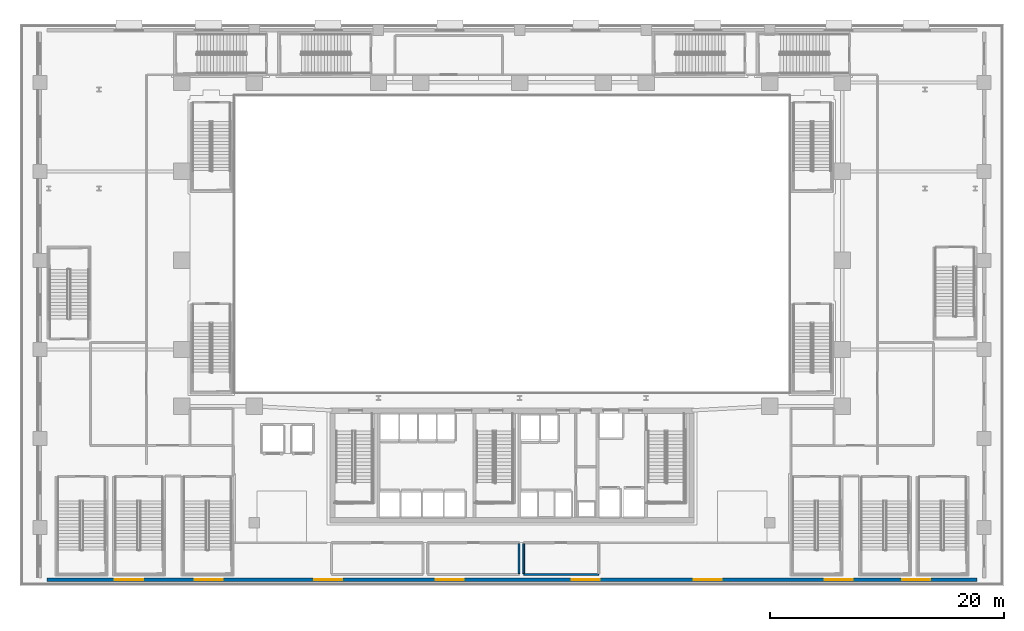
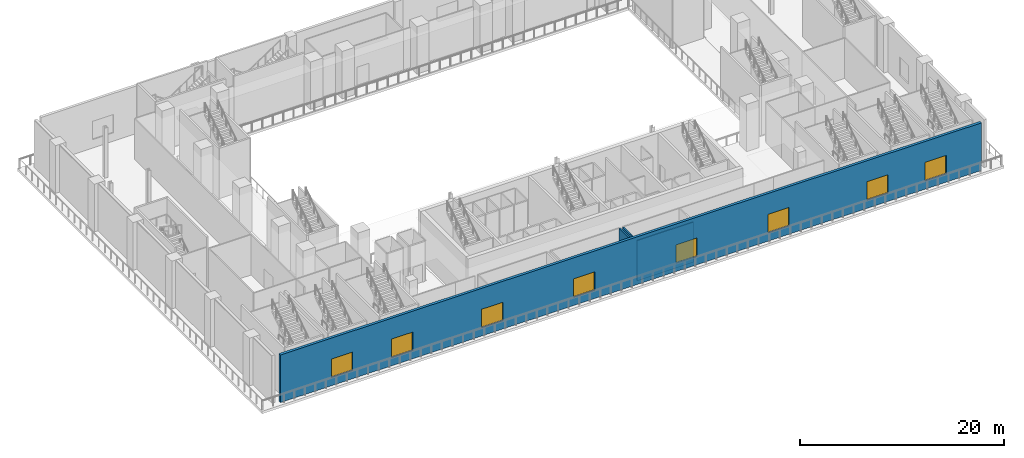
# One storey, part 8 of 29: 8 windows, 4 walls, 8 openings.
"""IFC4 building model written with IfcOpenShell, lengths in metres."""

import ifcopenshell
import ifcopenshell.guid

model = None  # the IFC model being written
_history = None  # IfcOwnerHistory: only IFC2X3 demands one
_inside = {}  # id of a spatial element -> (the spatial element, [elements in it])
_under = {}  # id of a project, library or spatial element -> (it, [spatial elements below it])
_declared = {}  # id of a project -> (the project, [libraries it declares])
_typed = {}  # id of a type object -> (the type object, [elements of that type])
_made_of = {}  # id of a material, layer set ... -> (it, [elements and type objects made of it])


def new_model(schema):
    """Start an empty IFC model of exactly this schema.

    Asked for "IFC4X3", IfcOpenShell would pick the latest addendum, in which some entities
    have other attributes; the version numbers below select the first issue.
    IFC2X3 requires an IfcOwnerHistory on every rooted entity: one is made here for all.
    """
    global model, _history
    if schema == "IFC4X3":
        model = ifcopenshell.file(schema_version=(4, 3, 0, 0))
    else:
        model = ifcopenshell.file(schema=schema)
    _inside.clear()
    _under.clear()
    _declared.clear()
    _typed.clear()
    _made_of.clear()
    _history = None
    if model.schema == "IFC2X3":
        org = make("IfcOrganization", Name="unknown")
        user = make(
            "IfcPersonAndOrganization",
            ThePerson=make("IfcPerson", FamilyName="unknown"),
            TheOrganization=org,
        )
        app = make(
            "IfcApplication",
            ApplicationDeveloper=org,
            Version="unknown",
            ApplicationFullName="unknown",
            ApplicationIdentifier="unknown",
        )
        _history = make(
            "IfcOwnerHistory",
            OwningUser=user,
            OwningApplication=app,
            ChangeAction="ADDED",
            CreationDate=0,
        )
    return model


def make(cls, **values):
    """One entity of the class cls with the attributes given. An attribute that is None is left unset."""
    return model.create_entity(
        cls, **{name: value for name, value in values.items() if value is not None}
    )


def rooted(cls, **values):
    """An entity with a GlobalId (a new one), such as an element, a storey or a relation."""
    return make(cls, GlobalId=ifcopenshell.guid.new(), OwnerHistory=_history, **values)


def si_unit(unit_type, name, prefix=None):
    """IfcSIUnit, for example si_unit("LENGTHUNIT", "METRE", prefix="MILLI")."""
    return make("IfcSIUnit", UnitType=unit_type, Prefix=prefix, Name=name)


def assignment(units):
    """IfcUnitAssignment: the units of a project."""
    return None if units is None else make("IfcUnitAssignment", Units=units)


def point(xyz):
    """IfcCartesianPoint."""
    return None if xyz is None else make("IfcCartesianPoint", Coordinates=xyz)


def direction(xyz):
    """IfcDirection."""
    return None if xyz is None else make("IfcDirection", DirectionRatios=xyz)


def frame(location, z_axis=None, x_axis=None):
    """IfcAxis2Placement3D, a coordinate frame: its origin and axes. An axis left out is left unset."""
    return make(
        "IfcAxis2Placement3D",
        Location=point(location),
        Axis=direction(z_axis),
        RefDirection=direction(x_axis),
    )


def frame_2d(location, x_axis=None):
    """IfcAxis2Placement2D, a coordinate frame in the plane: its origin and x axis."""
    return make(
        "IfcAxis2Placement2D", Location=point(location), RefDirection=direction(x_axis)
    )


def origin():
    """The frame at (0, 0, 0) with its axes left unset."""
    return frame((0.0, 0.0, 0.0))


def place(relative_to, where):
    """IfcLocalPlacement: puts the frame where relative to a parent placement (None: the world)."""
    return make(
        "IfcLocalPlacement", PlacementRelTo=relative_to, RelativePlacement=where
    )


def context(
    kind, dimensions, precision=None, world=None, true_north=None, identifier=None
):
    """IfcGeometricRepresentationContext, for example the 3D "Model" context."""
    return make(
        "IfcGeometricRepresentationContext",
        ContextIdentifier=identifier,
        ContextType=kind,
        CoordinateSpaceDimension=dimensions,
        Precision=precision,
        WorldCoordinateSystem=world,
        TrueNorth=true_north,
    )


def subcontext(parent, identifier, kind, view, scale=None):
    """IfcGeometricRepresentationSubContext, for example "Body" below "Model"."""
    return make(
        "IfcGeometricRepresentationSubContext",
        ContextIdentifier=identifier,
        ContextType=kind,
        ParentContext=parent,
        TargetScale=scale,
        TargetView=view,
    )


def project(units=None, contexts=None):
    """IfcProject with its units and contexts."""
    return rooted(
        "IfcProject",
        Name="project",
        RepresentationContexts=contexts,
        UnitsInContext=assignment(units),
    )


def spatial(cls, under=None, at=None, **own):
    """A site, building, storey or space (cls), placed at a placement, below another one or the project."""
    s = rooted(cls, ObjectPlacement=at, **own)
    if under is not None:
        _under.setdefault(under.id(), (under, []))[1].append(s)
    return s


def profile(cls, at=None, kind="AREA", **sizes):
    """A parametric profile (cls). Its sizes go by their IFC names, for example OverallWidth=200.0."""
    return make(cls, ProfileType=kind, Position=at, **sizes)


def rectangle(**sizes):
    """IfcRectangleProfileDef."""
    return profile("IfcRectangleProfileDef", **sizes)


def extrude(swept, where, along, depth):
    """IfcExtrudedAreaSolid: the profile swept, set in the frame where, extruded along a direction by depth."""
    return make(
        "IfcExtrudedAreaSolid",
        SweptArea=swept,
        Position=where,
        ExtrudedDirection=direction(along),
        Depth=depth,
    )


def shape(context_of_items, identifier, shape_type, items):
    """IfcShapeRepresentation: the items that make up one representation, for example the "Body"."""
    return make(
        "IfcShapeRepresentation",
        ContextOfItems=context_of_items,
        RepresentationIdentifier=identifier,
        RepresentationType=shape_type,
        Items=items,
    )


def material(Name=None, Category=None):
    """IfcMaterial."""
    return make("IfcMaterial", Name=Name, Category=Category)


def layer(
    of_material, thickness, ventilated=None, Name=None, Category=None, Priority=None
):
    """IfcMaterialLayer: one layer of a wall or slab, of a material (None: an air gap)."""
    return make(
        "IfcMaterialLayer",
        Material=of_material,
        LayerThickness=thickness,
        IsVentilated=ventilated,
        Name=Name,
        Category=Category,
        Priority=Priority,
    )


def layer_set(layers, Name=None):
    """IfcMaterialLayerSet."""
    return make("IfcMaterialLayerSet", MaterialLayers=layers, LayerSetName=Name)


def made_of(thing, what):
    """Note that an element or type object is made of a material, layer set ...; save() writes the relation."""
    if what is not None:
        _made_of.setdefault(what.id(), (what, []))[1].append(thing)
    return thing


def type_object(cls, material=None, **own):
    """A type object (cls), such as IfcWallType, which elements share."""
    return made_of(rooted(cls, **own), material)


def element(
    cls,
    number,
    at=None,
    inside=None,
    cuts=None,
    type_object=None,
    material=None,
    context=None,
    identifier="Body",
    shape_type=None,
    held_by="IfcProductDefinitionShape",
    body=None,
    shapes=None,
    **own,
):
    """One element of the class cls, such as IfcWall. Its Tag is "e" and its number.

    at: its placement. inside: the storey or other place that contains it. cuts: it is an
    opening in that element (IfcRelVoidsElement). A single representation is given by context,
    identifier, shape_type and body (its items); several are given by shapes. held_by: the class
    of the entity that holds the representations. save() writes the other relations.
    """
    e = rooted(cls, Tag="e%d" % number, ObjectPlacement=at, **own)
    if body is not None:
        shapes = [shape(context, identifier, shape_type, body)]
    if shapes is not None:
        e.Representation = make(held_by, Representations=shapes)
    if inside is not None:
        _inside.setdefault(inside.id(), (inside, []))[1].append(e)
    if cuts is not None:
        rooted(
            "IfcRelVoidsElement", RelatingBuildingElement=cuts, RelatedOpeningElement=e
        )
    if type_object is not None:
        _typed.setdefault(type_object.id(), (type_object, []))[1].append(e)
    return made_of(e, material)


def fill(opening, filler):
    """IfcRelFillsElement: the door or window that sits in an opening."""
    return rooted(
        "IfcRelFillsElement",
        RelatingOpeningElement=opening,
        RelatedBuildingElement=filler,
    )


def aggregate(whole, parts):
    """IfcRelAggregates: a whole, such as a stair, and the parts it consists of."""
    return rooted("IfcRelAggregates", RelatingObject=whole, RelatedObjects=parts)


def save(model, path):
    """Write the relations noted so far, then the file.

    IfcRelAggregates (storeys below a building ...), IfcRelContainedInSpatialStructure (elements
    in a storey), IfcRelDefinesByType, IfcRelAssociatesMaterial and IfcRelDeclares: one each for
    every whole, place, type object, material and project.
    """
    for whole, parts in _under.values():
        aggregate(whole, parts)
    for where, things in _inside.values():
        rooted(
            "IfcRelContainedInSpatialStructure",
            RelatedElements=things,
            RelatingStructure=where,
        )
    for kind, things in _typed.values():
        rooted("IfcRelDefinesByType", RelatedObjects=things, RelatingType=kind)
    for what, things in _made_of.values():
        rooted("IfcRelAssociatesMaterial", RelatedObjects=things, RelatingMaterial=what)
    for by, libraries in _declared.values():
        rooted("IfcRelDeclares", RelatingContext=by, RelatedDefinitions=libraries)
    model.write(path)


model = new_model("IFC4")

# Units and contexts
model_context = context("Model", 3, precision=1e-05, world=origin(), true_north=direction((0.0, 1.0)))
body_context = subcontext(model_context, "Body", "Model", "MODEL_VIEW")
ifc_project = project(units=[si_unit("LENGTHUNIT", "METRE"), si_unit("AREAUNIT", "SQUARE_METRE"), si_unit("VOLUMEUNIT", "CUBIC_METRE"), si_unit("PLANEANGLEUNIT", "RADIAN"), si_unit("MASSUNIT", "GRAM", prefix="KILO")], contexts=[model_context])

# Site, building, storey
site_placement = place(None, origin())
site = spatial("IfcSite", under=ifc_project, at=site_placement, CompositionType="ELEMENT")
building_placement = place(site_placement, origin())
building = spatial("IfcBuilding", under=site, at=building_placement, Name="Ndaravel Arena Tower", CompositionType="ELEMENT")
storey_placement = place(building_placement, frame((0.0, 0.0, 12.0)))
storey = spatial("IfcBuildingStorey", under=building, at=storey_placement, Name="L02", CompositionType="ELEMENT", Elevation=12.0)

# Wall, openings, windows
ifc_material_1 = material(Name="Masonry", Category="masonry")
ifc_layer_1 = layer(ifc_material_1, 0.300048828125)
ifc_layer_set_1 = layer_set([ifc_layer_1], Name="Masonry")
wall_type_1 = type_object("IfcWallType", Name="WALL-POD-MAZERAS-300", PredefinedType="SOLIDWALL", material=ifc_layer_set_1)
wall_1_placement = place(storey_placement, frame((2.300048828125, 0.550048828125, 0.0), z_axis=(0.0, 0.0, 1.0), x_axis=(1.0, 0.0, 0.0)))
wall_1 = element("IfcWall", 1, at=wall_1_placement, inside=storey, type_object=wall_type_1, Name="L02 South Mazeras Facade Wall", PredefinedType="SOLIDWALL", context=body_context, shape_type="SweptSolid", body=[
    extrude(rectangle(XDim=79.39990234375, YDim=0.300048828125, at=frame_2d((39.699951171875, 0.0))), origin(), (0.0, 0.0, 1.0), 5.699951171875),
])
opening_1_placement = place(wall_1_placement, frame((5.800048828125, 0.0, 1.0)))
opening_1 = element("IfcOpeningElement", 2, at=opening_1_placement, cuts=wall_1, Name="Opening W-PD1", PredefinedType="OPENING", context=body_context, shape_type="SweptSolid", body=[
    extrude(rectangle(XDim=2.39990234375, YDim=2.199951171875, at=frame_2d((1.199951171875, 1.10009765625))), frame((0.0, 0.14990234375, 0.0), z_axis=(0.0, -1.0, 0.0), x_axis=(1.0, 0.0, 0.0)), (0.0, 0.0, 1.0), 0.300048828125),
])
opening_2_placement = place(wall_1_placement, frame((12.60009765625, 0.0, 1.0)))
opening_2 = element("IfcOpeningElement", 3, at=opening_2_placement, cuts=wall_1, Name="Opening W-PD1", PredefinedType="OPENING", context=body_context, shape_type="SweptSolid", body=[
    extrude(rectangle(XDim=2.39990234375, YDim=2.199951171875, at=frame_2d((1.199951171875, 1.10009765625))), frame((0.0, 0.14990234375, 0.0), z_axis=(0.0, -1.0, 0.0), x_axis=(1.0, 0.0, 0.0)), (0.0, 0.0, 1.0), 0.300048828125),
])
opening_3_placement = place(wall_1_placement, frame((22.800048828125, 0.0, 1.0)))
opening_3 = element("IfcOpeningElement", 4, at=opening_3_placement, cuts=wall_1, Name="Opening W-PD1", PredefinedType="OPENING", context=body_context, shape_type="SweptSolid", body=[
    extrude(rectangle(XDim=2.39990234375, YDim=2.199951171875, at=frame_2d((1.199951171875, 1.10009765625))), frame((0.0, 0.14990234375, 0.0), z_axis=(0.0, -1.0, 0.0), x_axis=(1.0, 0.0, 0.0)), (0.0, 0.0, 1.0), 0.300048828125),
])
opening_4_placement = place(wall_1_placement, frame((33.199951171875, 0.0, 1.0)))
opening_4 = element("IfcOpeningElement", 5, at=opening_4_placement, cuts=wall_1, Name="Opening W-PD1", PredefinedType="OPENING", context=body_context, shape_type="SweptSolid", body=[
    extrude(rectangle(XDim=2.39990234375, YDim=2.199951171875, at=frame_2d((1.199951171875, 1.10009765625))), frame((0.0, 0.14990234375, 0.0), z_axis=(0.0, -1.0, 0.0), x_axis=(1.0, 0.0, 0.0)), (0.0, 0.0, 1.0), 0.300048828125),
])
opening_5_placement = place(wall_1_placement, frame((44.800048828125, 0.0, 1.0)))
opening_5 = element("IfcOpeningElement", 6, at=opening_5_placement, cuts=wall_1, Name="Opening W-PD1", PredefinedType="OPENING", context=body_context, shape_type="SweptSolid", body=[
    extrude(rectangle(XDim=2.39990234375, YDim=2.199951171875, at=frame_2d((1.199951171875, 1.10009765625))), frame((0.0, 0.14990234375, 0.0), z_axis=(0.0, -1.0, 0.0), x_axis=(1.0, 0.0, 0.0)), (0.0, 0.0, 1.0), 0.300048828125),
])
opening_6_placement = place(wall_1_placement, frame((55.199951171875, 0.0, 1.0)))
opening_6 = element("IfcOpeningElement", 7, at=opening_6_placement, cuts=wall_1, Name="Opening W-PD1", PredefinedType="OPENING", context=body_context, shape_type="SweptSolid", body=[
    extrude(rectangle(XDim=2.39990234375, YDim=2.199951171875, at=frame_2d((1.199951171875, 1.10009765625))), frame((0.0, 0.14990234375, 0.0), z_axis=(0.0, -1.0, 0.0), x_axis=(1.0, 0.0, 0.0)), (0.0, 0.0, 1.0), 0.300048828125),
])
opening_7_placement = place(wall_1_placement, frame((66.39990234375, 0.0, 1.0)))
opening_7 = element("IfcOpeningElement", 8, at=opening_7_placement, cuts=wall_1, Name="Opening W-PD1", PredefinedType="OPENING", context=body_context, shape_type="SweptSolid", body=[
    extrude(rectangle(XDim=2.39990234375, YDim=2.199951171875, at=frame_2d((1.199951171875, 1.10009765625))), frame((0.0, 0.14990234375, 0.0), z_axis=(0.0, -1.0, 0.0), x_axis=(1.0, 0.0, 0.0)), (0.0, 0.0, 1.0), 0.300048828125),
])
opening_8_placement = place(wall_1_placement, frame((73.0, 0.0, 1.0)))
opening_8 = element("IfcOpeningElement", 9, at=opening_8_placement, cuts=wall_1, Name="Opening W-PD1", PredefinedType="OPENING", context=body_context, shape_type="SweptSolid", body=[
    extrude(rectangle(XDim=2.39990234375, YDim=2.199951171875, at=frame_2d((1.199951171875, 1.10009765625))), frame((0.0, 0.14990234375, 0.0), z_axis=(0.0, -1.0, 0.0), x_axis=(1.0, 0.0, 0.0)), (0.0, 0.0, 1.0), 0.300048828125),
])
ifc_material_2 = material(Name="Glazing", Category="glass")
window_type = type_object("IfcWindowType", Name="WIN-POD-2400", PartitioningType="SINGLE_PANEL", PredefinedType="WINDOW", material=ifc_material_2)
window_1_placement = place(opening_1_placement, origin())
window_1 = element("IfcWindow", 10, at=window_1_placement, inside=storey, type_object=window_type, Name="L02 South Ribbon Window 01", OverallHeight=2.199951171875, OverallWidth=2.39990234375, PartitioningType="SINGLE_PANEL", PredefinedType="WINDOW", context=body_context, shape_type="SweptSolid", body=[
    extrude(rectangle(XDim=2.39990234375, YDim=2.199951171875, at=frame_2d((1.199951171875, 1.10009765625))), frame((0.0, 0.030029296875, 0.0), z_axis=(0.0, -1.0, 0.0), x_axis=(1.0, 0.0, 0.0)), (0.0, 0.0, 1.0), 0.06005859375),
])
fill(opening_1, window_1)
window_2_placement = place(opening_2_placement, origin())
window_2 = element("IfcWindow", 11, at=window_2_placement, inside=storey, type_object=window_type, Name="L02 South Ribbon Window 02", OverallHeight=2.199951171875, OverallWidth=2.39990234375, PartitioningType="SINGLE_PANEL", PredefinedType="WINDOW", context=body_context, shape_type="SweptSolid", body=[
    extrude(rectangle(XDim=2.39990234375, YDim=2.199951171875, at=frame_2d((1.199951171875, 1.10009765625))), frame((0.0, 0.030029296875, 0.0), z_axis=(0.0, -1.0, 0.0), x_axis=(1.0, 0.0, 0.0)), (0.0, 0.0, 1.0), 0.06005859375),
])
fill(opening_2, window_2)
window_3_placement = place(opening_3_placement, origin())
window_3 = element("IfcWindow", 12, at=window_3_placement, inside=storey, type_object=window_type, Name="L02 South Ribbon Window 03", OverallHeight=2.199951171875, OverallWidth=2.39990234375, PartitioningType="SINGLE_PANEL", PredefinedType="WINDOW", context=body_context, shape_type="SweptSolid", body=[
    extrude(rectangle(XDim=2.39990234375, YDim=2.199951171875, at=frame_2d((1.199951171875, 1.10009765625))), frame((0.0, 0.030029296875, 0.0), z_axis=(0.0, -1.0, 0.0), x_axis=(1.0, 0.0, 0.0)), (0.0, 0.0, 1.0), 0.06005859375),
])
fill(opening_3, window_3)
window_4_placement = place(opening_4_placement, origin())
window_4 = element("IfcWindow", 13, at=window_4_placement, inside=storey, type_object=window_type, Name="L02 South Ribbon Window 04", OverallHeight=2.199951171875, OverallWidth=2.39990234375, PartitioningType="SINGLE_PANEL", PredefinedType="WINDOW", context=body_context, shape_type="SweptSolid", body=[
    extrude(rectangle(XDim=2.39990234375, YDim=2.199951171875, at=frame_2d((1.199951171875, 1.10009765625))), frame((0.0, 0.030029296875, 0.0), z_axis=(0.0, -1.0, 0.0), x_axis=(1.0, 0.0, 0.0)), (0.0, 0.0, 1.0), 0.06005859375),
])
fill(opening_4, window_4)
window_5_placement = place(opening_5_placement, origin())
window_5 = element("IfcWindow", 14, at=window_5_placement, inside=storey, type_object=window_type, Name="L02 South Ribbon Window 05", OverallHeight=2.199951171875, OverallWidth=2.39990234375, PartitioningType="SINGLE_PANEL", PredefinedType="WINDOW", context=body_context, shape_type="SweptSolid", body=[
    extrude(rectangle(XDim=2.39990234375, YDim=2.199951171875, at=frame_2d((1.199951171875, 1.10009765625))), frame((0.0, 0.030029296875, 0.0), z_axis=(0.0, -1.0, 0.0), x_axis=(1.0, 0.0, 0.0)), (0.0, 0.0, 1.0), 0.06005859375),
])
fill(opening_5, window_5)
window_6_placement = place(opening_6_placement, origin())
window_6 = element("IfcWindow", 15, at=window_6_placement, inside=storey, type_object=window_type, Name="L02 South Ribbon Window 06", OverallHeight=2.199951171875, OverallWidth=2.39990234375, PartitioningType="SINGLE_PANEL", PredefinedType="WINDOW", context=body_context, shape_type="SweptSolid", body=[
    extrude(rectangle(XDim=2.39990234375, YDim=2.199951171875, at=frame_2d((1.199951171875, 1.10009765625))), frame((0.0, 0.030029296875, 0.0), z_axis=(0.0, -1.0, 0.0), x_axis=(1.0, 0.0, 0.0)), (0.0, 0.0, 1.0), 0.06005859375),
])
fill(opening_6, window_6)
window_7_placement = place(opening_7_placement, origin())
window_7 = element("IfcWindow", 16, at=window_7_placement, inside=storey, type_object=window_type, Name="L02 South Ribbon Window 07", OverallHeight=2.199951171875, OverallWidth=2.39990234375, PartitioningType="SINGLE_PANEL", PredefinedType="WINDOW", context=body_context, shape_type="SweptSolid", body=[
    extrude(rectangle(XDim=2.39990234375, YDim=2.199951171875, at=frame_2d((1.199951171875, 1.10009765625))), frame((0.0, 0.030029296875, 0.0), z_axis=(0.0, -1.0, 0.0), x_axis=(1.0, 0.0, 0.0)), (0.0, 0.0, 1.0), 0.06005859375),
])
fill(opening_7, window_7)
window_8_placement = place(opening_8_placement, origin())
window_8 = element("IfcWindow", 17, at=window_8_placement, inside=storey, type_object=window_type, Name="L02 South Ribbon Window 08", OverallHeight=2.199951171875, OverallWidth=2.39990234375, PartitioningType="SINGLE_PANEL", PredefinedType="WINDOW", context=body_context, shape_type="SweptSolid", body=[
    extrude(rectangle(XDim=2.39990234375, YDim=2.199951171875, at=frame_2d((1.199951171875, 1.10009765625))), frame((0.0, 0.030029296875, 0.0), z_axis=(0.0, -1.0, 0.0), x_axis=(1.0, 0.0, 0.0)), (0.0, 0.0, 1.0), 0.06005859375),
])
fill(opening_8, window_8)

# Walls
ifc_material_3 = material(Name="Masonry", Category="masonry")
ifc_layer_2 = layer(ifc_material_3, 0.14990234375)
ifc_layer_set_2 = layer_set([ifc_layer_2], Name="Masonry")
wall_type_2 = type_object("IfcWallType", Name="WALL-WET-150", PredefinedType="PARTITIONING", material=ifc_layer_set_2)
wall_2_placement = place(storey_placement, frame((42.60009765625, 3.635009765625, 0.0), z_axis=(0.0, 0.0, 1.0), x_axis=(0.0, -1.0, 0.0)))
element("IfcWall", 18, at=wall_2_placement, inside=storey, type_object=wall_type_2, Name="L02 Interior Partition 050", PredefinedType="PARTITIONING", context=body_context, shape_type="SweptSolid", body=[
    extrude(rectangle(XDim=2.570068359375, YDim=0.14990234375, at=frame_2d((1.28515625, 0.0))), origin(), (0.0, 0.0, 1.0), 4.819091796875),
])
wall_3_placement = place(storey_placement, frame((49.39990234375, 1.0, 0.0), z_axis=(0.0, 0.0, 1.0), x_axis=(-1.0, 0.0, 0.0)))
element("IfcWall", 19, at=wall_3_placement, inside=storey, type_object=wall_type_2, Name="L02 Interior Partition 051", PredefinedType="PARTITIONING", context=body_context, shape_type="SweptSolid", body=[
    extrude(rectangle(XDim=6.39990234375, YDim=0.14990234375, at=frame_2d((3.199951171875, 0.0))), origin(), (0.0, 0.0, 1.0), 4.819091796875),
])
wall_4_placement = place(storey_placement, frame((43.0, 1.06494140625, 0.0), z_axis=(0.0, 0.0, 1.0), x_axis=(0.0, 1.0, 0.0)))
element("IfcWall", 20, at=wall_4_placement, inside=storey, type_object=wall_type_2, Name="L02 Interior Partition 052", PredefinedType="PARTITIONING", context=body_context, shape_type="SweptSolid", body=[
    extrude(rectangle(XDim=2.570068359375, YDim=0.14990234375, at=frame_2d((1.28515625, 0.0))), origin(), (0.0, 0.0, 1.0), 4.819091796875),
])

save(model, "model.ifc")
